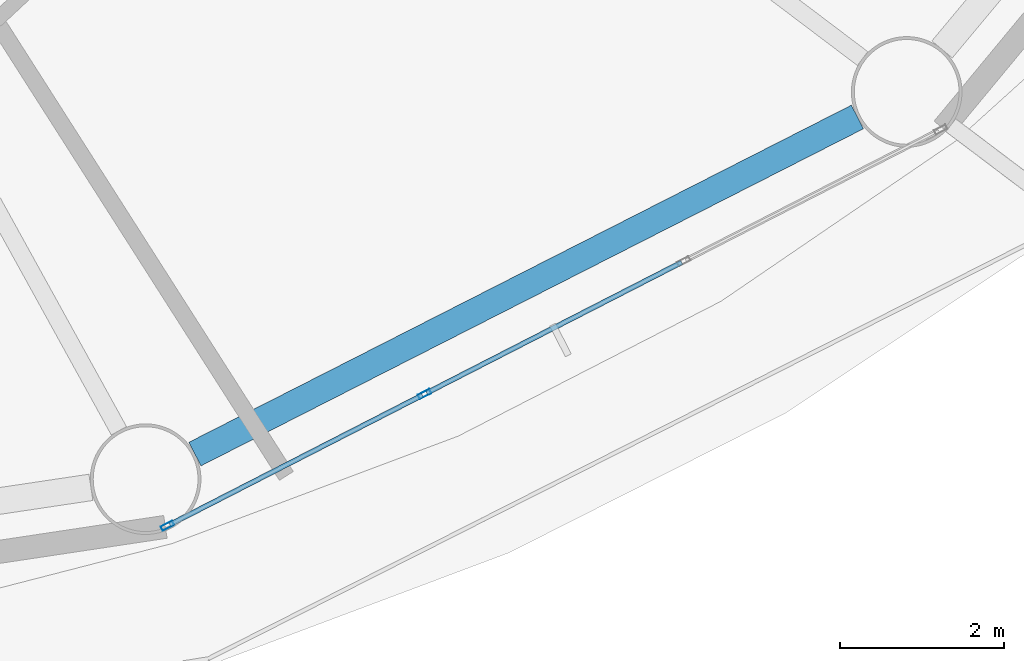
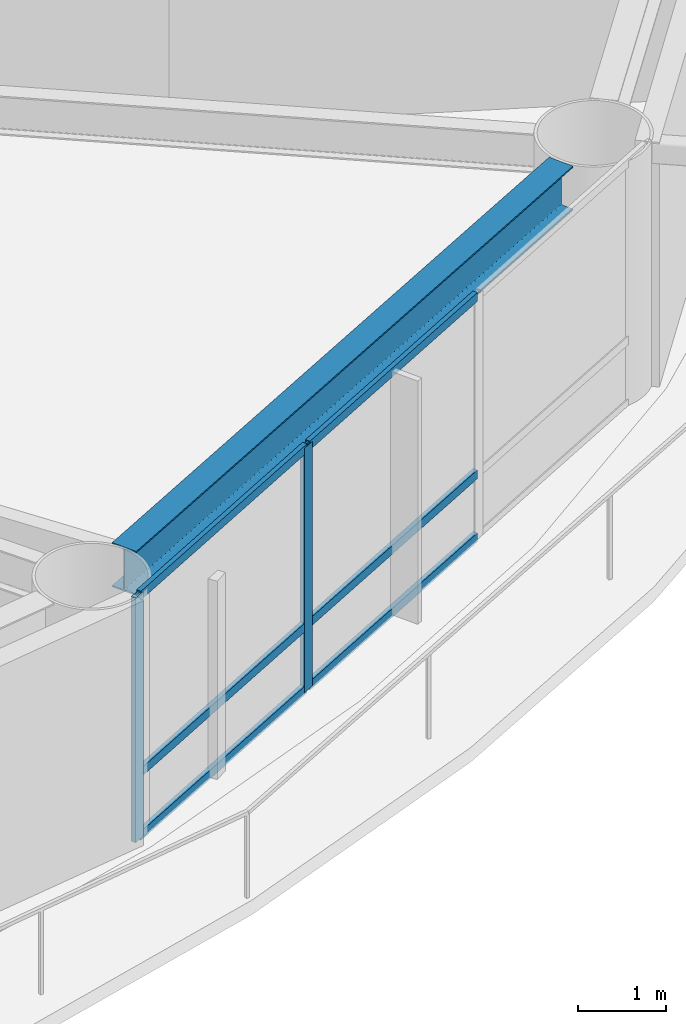
# One storey, part 4 of 24: 8 members, 1 beam, 1 element without a shape of its own.
"""IFC4 building model written with IfcOpenShell, lengths in metres."""

import ifcopenshell
import ifcopenshell.guid

model = None  # the IFC model being written
_history = None  # IfcOwnerHistory: only IFC2X3 demands one
_inside = {}  # id of a spatial element -> (the spatial element, [elements in it])
_under = {}  # id of a project, library or spatial element -> (it, [spatial elements below it])
_declared = {}  # id of a project -> (the project, [libraries it declares])
_typed = {}  # id of a type object -> (the type object, [elements of that type])
_made_of = {}  # id of a material, layer set ... -> (it, [elements and type objects made of it])


def new_model(schema):
    """Start an empty IFC model of exactly this schema.

    Asked for "IFC4X3", IfcOpenShell would pick the latest addendum, in which some entities
    have other attributes; the version numbers below select the first issue.
    IFC2X3 requires an IfcOwnerHistory on every rooted entity: one is made here for all.
    """
    global model, _history
    if schema == "IFC4X3":
        model = ifcopenshell.file(schema_version=(4, 3, 0, 0))
    else:
        model = ifcopenshell.file(schema=schema)
    _inside.clear()
    _under.clear()
    _declared.clear()
    _typed.clear()
    _made_of.clear()
    _history = None
    if model.schema == "IFC2X3":
        org = make("IfcOrganization", Name="unknown")
        user = make(
            "IfcPersonAndOrganization",
            ThePerson=make("IfcPerson", FamilyName="unknown"),
            TheOrganization=org,
        )
        app = make(
            "IfcApplication",
            ApplicationDeveloper=org,
            Version="unknown",
            ApplicationFullName="unknown",
            ApplicationIdentifier="unknown",
        )
        _history = make(
            "IfcOwnerHistory",
            OwningUser=user,
            OwningApplication=app,
            ChangeAction="ADDED",
            CreationDate=0,
        )
    return model


def make(cls, **values):
    """One entity of the class cls with the attributes given. An attribute that is None is left unset."""
    return model.create_entity(
        cls, **{name: value for name, value in values.items() if value is not None}
    )


def rooted(cls, **values):
    """An entity with a GlobalId (a new one), such as an element, a storey or a relation."""
    return make(cls, GlobalId=ifcopenshell.guid.new(), OwnerHistory=_history, **values)


def si_unit(unit_type, name, prefix=None):
    """IfcSIUnit, for example si_unit("LENGTHUNIT", "METRE", prefix="MILLI")."""
    return make("IfcSIUnit", UnitType=unit_type, Prefix=prefix, Name=name)


def assignment(units):
    """IfcUnitAssignment: the units of a project."""
    return None if units is None else make("IfcUnitAssignment", Units=units)


def point(xyz):
    """IfcCartesianPoint."""
    return None if xyz is None else make("IfcCartesianPoint", Coordinates=xyz)


def direction(xyz):
    """IfcDirection."""
    return None if xyz is None else make("IfcDirection", DirectionRatios=xyz)


def frame(location, z_axis=None, x_axis=None):
    """IfcAxis2Placement3D, a coordinate frame: its origin and axes. An axis left out is left unset."""
    return make(
        "IfcAxis2Placement3D",
        Location=point(location),
        Axis=direction(z_axis),
        RefDirection=direction(x_axis),
    )


def frame_2d(location, x_axis=None):
    """IfcAxis2Placement2D, a coordinate frame in the plane: its origin and x axis."""
    return make(
        "IfcAxis2Placement2D", Location=point(location), RefDirection=direction(x_axis)
    )


def origin():
    """The frame at (0, 0, 0) with its axes left unset."""
    return frame((0.0, 0.0, 0.0))


def origin_2d():
    """The frame at (0, 0) in the plane with its x axis left unset."""
    return frame_2d((0.0, 0.0))


def place(relative_to, where):
    """IfcLocalPlacement: puts the frame where relative to a parent placement (None: the world)."""
    return make(
        "IfcLocalPlacement", PlacementRelTo=relative_to, RelativePlacement=where
    )


def context(
    kind, dimensions, precision=None, world=None, true_north=None, identifier=None
):
    """IfcGeometricRepresentationContext, for example the 3D "Model" context."""
    return make(
        "IfcGeometricRepresentationContext",
        ContextIdentifier=identifier,
        ContextType=kind,
        CoordinateSpaceDimension=dimensions,
        Precision=precision,
        WorldCoordinateSystem=world,
        TrueNorth=true_north,
    )


def subcontext(parent, identifier, kind, view, scale=None):
    """IfcGeometricRepresentationSubContext, for example "Body" below "Model"."""
    return make(
        "IfcGeometricRepresentationSubContext",
        ContextIdentifier=identifier,
        ContextType=kind,
        ParentContext=parent,
        TargetScale=scale,
        TargetView=view,
    )


def project(units=None, contexts=None):
    """IfcProject with its units and contexts."""
    return rooted(
        "IfcProject",
        Name="project",
        RepresentationContexts=contexts,
        UnitsInContext=assignment(units),
    )


def spatial(cls, under=None, at=None, **own):
    """A site, building, storey or space (cls), placed at a placement, below another one or the project."""
    s = rooted(cls, ObjectPlacement=at, **own)
    if under is not None:
        _under.setdefault(under.id(), (under, []))[1].append(s)
    return s


def profile(cls, at=None, kind="AREA", **sizes):
    """A parametric profile (cls). Its sizes go by their IFC names, for example OverallWidth=200.0."""
    return make(cls, ProfileType=kind, Position=at, **sizes)


def hollow_rectangle(**sizes):
    """IfcRectangleHollowProfileDef."""
    return profile("IfcRectangleHollowProfileDef", **sizes)


def i_section(**sizes):
    """IfcIShapeProfileDef."""
    return profile("IfcIShapeProfileDef", **sizes)


def extrude(swept, where, along, depth):
    """IfcExtrudedAreaSolid: the profile swept, set in the frame where, extruded along a direction by depth."""
    return make(
        "IfcExtrudedAreaSolid",
        SweptArea=swept,
        Position=where,
        ExtrudedDirection=direction(along),
        Depth=depth,
    )


def shape(context_of_items, identifier, shape_type, items):
    """IfcShapeRepresentation: the items that make up one representation, for example the "Body"."""
    return make(
        "IfcShapeRepresentation",
        ContextOfItems=context_of_items,
        RepresentationIdentifier=identifier,
        RepresentationType=shape_type,
        Items=items,
    )


def material(Name=None, Category=None):
    """IfcMaterial."""
    return make("IfcMaterial", Name=Name, Category=Category)


def layer(
    of_material, thickness, ventilated=None, Name=None, Category=None, Priority=None
):
    """IfcMaterialLayer: one layer of a wall or slab, of a material (None: an air gap)."""
    return make(
        "IfcMaterialLayer",
        Material=of_material,
        LayerThickness=thickness,
        IsVentilated=ventilated,
        Name=Name,
        Category=Category,
        Priority=Priority,
    )


def layer_set(layers, Name=None):
    """IfcMaterialLayerSet."""
    return make("IfcMaterialLayerSet", MaterialLayers=layers, LayerSetName=Name)


def material_profile(
    of_material, cross_section, Name=None, Category=None, Priority=None
):
    """IfcMaterialProfile: a cross section and its material."""
    return make(
        "IfcMaterialProfile",
        Name=Name,
        Material=of_material,
        Profile=cross_section,
        Priority=Priority,
        Category=Category,
    )


def profile_set(profiles, Name=None, composite=None):
    """IfcMaterialProfileSet."""
    return make(
        "IfcMaterialProfileSet",
        Name=Name,
        MaterialProfiles=profiles,
        CompositeProfile=composite,
    )


def made_of(thing, what):
    """Note that an element or type object is made of a material, layer set ...; save() writes the relation."""
    if what is not None:
        _made_of.setdefault(what.id(), (what, []))[1].append(thing)
    return thing


def type_object(cls, material=None, **own):
    """A type object (cls), such as IfcWallType, which elements share."""
    return made_of(rooted(cls, **own), material)


def element(
    cls,
    number,
    at=None,
    inside=None,
    cuts=None,
    type_object=None,
    material=None,
    context=None,
    identifier="Body",
    shape_type=None,
    held_by="IfcProductDefinitionShape",
    body=None,
    shapes=None,
    **own,
):
    """One element of the class cls, such as IfcWall. Its Tag is "e" and its number.

    at: its placement. inside: the storey or other place that contains it. cuts: it is an
    opening in that element (IfcRelVoidsElement). A single representation is given by context,
    identifier, shape_type and body (its items); several are given by shapes. held_by: the class
    of the entity that holds the representations. save() writes the other relations.
    """
    e = rooted(cls, Tag="e%d" % number, ObjectPlacement=at, **own)
    if body is not None:
        shapes = [shape(context, identifier, shape_type, body)]
    if shapes is not None:
        e.Representation = make(held_by, Representations=shapes)
    if inside is not None:
        _inside.setdefault(inside.id(), (inside, []))[1].append(e)
    if cuts is not None:
        rooted(
            "IfcRelVoidsElement", RelatingBuildingElement=cuts, RelatedOpeningElement=e
        )
    if type_object is not None:
        _typed.setdefault(type_object.id(), (type_object, []))[1].append(e)
    return made_of(e, material)


def aggregate(whole, parts):
    """IfcRelAggregates: a whole, such as a stair, and the parts it consists of."""
    return rooted("IfcRelAggregates", RelatingObject=whole, RelatedObjects=parts)


def save(model, path):
    """Write the relations noted so far, then the file.

    IfcRelAggregates (storeys below a building ...), IfcRelContainedInSpatialStructure (elements
    in a storey), IfcRelDefinesByType, IfcRelAssociatesMaterial and IfcRelDeclares: one each for
    every whole, place, type object, material and project.
    """
    for whole, parts in _under.values():
        aggregate(whole, parts)
    for where, things in _inside.values():
        rooted(
            "IfcRelContainedInSpatialStructure",
            RelatedElements=things,
            RelatingStructure=where,
        )
    for kind, things in _typed.values():
        rooted("IfcRelDefinesByType", RelatedObjects=things, RelatingType=kind)
    for what, things in _made_of.values():
        rooted("IfcRelAssociatesMaterial", RelatedObjects=things, RelatingMaterial=what)
    for by, libraries in _declared.values():
        rooted("IfcRelDeclares", RelatingContext=by, RelatedDefinitions=libraries)
    model.write(path)


model = new_model("IFC4")

# Units and contexts
model_context = context("Model", 3, precision=1e-05, world=origin(), true_north=direction((0.0, 1.0)))
body_context = subcontext(model_context, "Body", "Model", "MODEL_VIEW")
ifc_project = project(units=[si_unit("LENGTHUNIT", "METRE"), si_unit("AREAUNIT", "SQUARE_METRE"), si_unit("VOLUMEUNIT", "CUBIC_METRE"), si_unit("PLANEANGLEUNIT", "RADIAN"), si_unit("MASSUNIT", "GRAM", prefix="KILO")], contexts=[model_context])

# Site, building, storey
site_placement = place(None, origin())
site = spatial("IfcSite", under=ifc_project, at=site_placement, CompositionType="ELEMENT")
building_placement = place(site_placement, origin())
building = spatial("IfcBuilding", under=site, at=building_placement, Name="Sarneth Arch Tower", CompositionType="ELEMENT")
storey_placement = place(building_placement, frame((0.0, 0.0, 123.60009765625)))
storey = spatial("IfcBuildingStorey", under=building, at=storey_placement, Name="L31", CompositionType="ELEMENT", Elevation=123.60009765625)

# Beam
ifc_material_1 = material(Name="Steel S355", Category="steel")
ifc_material_profile_1 = material_profile(ifc_material_1, i_section(OverallWidth=0.323974609375, OverallDepth=0.611083984375, WebThickness=0.0126953125, FlangeThickness=0.01904296875, FilletRadius=0.01904296875, at=origin_2d()), Name="W610x155")
ifc_profile_set_1 = profile_set([ifc_material_profile_1], Name="Steel S355")
beam_type = type_object("IfcBeamType", Name="BM-SPAN-610B", PredefinedType="SPANDREL", material=ifc_profile_set_1)
beam_placement = place(storey_placement, frame((59.7119140625, 22.16552734375, 3.074462890625), z_axis=(0.891255891792, 0.453500755619, 0.0), x_axis=(-0.453500755619, 0.891255891792, 0.0)))
element("IfcBeam", 1, at=beam_placement, inside=storey, type_object=beam_type, Name="L31 Perimeter spandrel beam 14", PredefinedType="SPANDREL", context=body_context, shape_type="SweptSolid", body=[
    extrude(i_section(OverallWidth=0.323974609375, OverallDepth=0.611083984375, WebThickness=0.0126953125, FlangeThickness=0.01904296875, FilletRadius=0.01904296875, at=origin_2d()), origin(), (0.0, 0.0, 1.0), 9.070556640625),
])

# Curtain wall, members
ifc_material_2 = material(Name="Anodised aluminium Type AA25 and solar-control low-e laminated IGU", Category="aluminium")
ifc_layer = layer(ifc_material_2, 0.159912109375)
ifc_layer_set = layer_set([ifc_layer], Name="Anodised aluminium Type AA25 and solar-control low-e laminated IGU")
curtain_wall_type = type_object("IfcCurtainWallType", Name="CW-HOTEL-MID", PredefinedType="NOTDEFINED", material=ifc_layer_set)
curtain_wall_placement = place(storey_placement, origin())
curtain_wall = element("IfcCurtainWall", 2, at=curtain_wall_placement, inside=storey, type_object=curtain_wall_type, Name="L31 Unitised curtain wall facet 14", PredefinedType="NOTDEFINED")
ifc_material_3 = material(Name="Anodised Aluminium 6063-T6", Category="aluminium")
ifc_material_profile_2 = material_profile(ifc_material_3, hollow_rectangle(XDim=0.06005859375, YDim=0.159912109375, WallThickness=0.00390625, at=origin_2d()), Name="AL-MULL-160x60x4")
ifc_profile_set_2 = profile_set([ifc_material_profile_2], Name="Anodised Aluminium 6063-T6")
member_type_1 = type_object("IfcMemberType", Name="CW-MULLION", PredefinedType="MULLION", material=ifc_profile_set_2)
member_1_placement = place(storey_placement, frame((59.3779296875, 21.291015625, 0.0), z_axis=(0.0, 0.0, 1.0), x_axis=(-0.456031365356, 0.889963703649, 0.0)))
member_1 = element("IfcMember", 3, at=member_1_placement, type_object=member_type_1, Name="CW-SYS-4 mullion 1", PredefinedType="MULLION", context=body_context, shape_type="SweptSolid", body=[
    extrude(hollow_rectangle(XDim=0.06005859375, YDim=0.159912109375, WallThickness=0.00390625, at=origin_2d()), origin(), (0.0, 0.0, 1.0), 3.3798828125),
])
member_2_placement = place(storey_placement, frame((62.51416015625, 22.898193359375, 0.0), z_axis=(0.0, 0.0, 1.0), x_axis=(-0.456031365356, 0.889963703649, 0.0)))
member_2 = element("IfcMember", 4, at=member_2_placement, type_object=member_type_1, Name="CW-SYS-4 mullion 2", PredefinedType="MULLION", context=body_context, shape_type="SweptSolid", body=[
    extrude(hollow_rectangle(XDim=0.06005859375, YDim=0.159912109375, WallThickness=0.00390625, at=origin_2d()), origin(), (0.0, 0.0, 1.0), 3.3798828125),
])
ifc_material_4 = material(Name="Anodised Aluminium 6063-T6", Category="aluminium")
ifc_material_profile_3 = material_profile(ifc_material_4, hollow_rectangle(XDim=0.06005859375, YDim=0.1201171875, WallThickness=0.00390625, at=origin_2d()), Name="AL-TRAN-120x60x4")
ifc_profile_set_3 = profile_set([ifc_material_profile_3], Name="Anodised Aluminium 6063-T6")
member_type_2 = type_object("IfcMemberType", Name="CW-TRANSOM", PredefinedType="USERDEFINED", material=ifc_profile_set_3)
member_3_placement = place(storey_placement, frame((59.404541015625, 21.3046875, 0.02978515625), z_axis=(0.889957563627, 0.456043347658, 0.0), x_axis=(-0.456043347658, 0.889957563627, 0.0)))
member_3 = element("IfcMember", 5, at=member_3_placement, type_object=member_type_2, Name="CW-SYS-4 transom 1.1", ObjectType="TRANSOM", PredefinedType="USERDEFINED", context=body_context, shape_type="SweptSolid", body=[
    extrude(hollow_rectangle(XDim=0.06005859375, YDim=0.1201171875, WallThickness=0.00390625, at=origin_2d()), origin(), (0.0, 0.0, 1.0), 3.464111328125),
])
member_4_placement = place(storey_placement, frame((59.404541015625, 21.3046875, 0.89990234375), z_axis=(0.889957563627, 0.456043347658, 0.0), x_axis=(-0.456043347658, 0.889957563627, 0.0)))
member_4 = element("IfcMember", 6, at=member_4_placement, type_object=member_type_2, Name="CW-SYS-4 transom 1.2", ObjectType="TRANSOM", PredefinedType="USERDEFINED", context=body_context, shape_type="SweptSolid", body=[
    extrude(hollow_rectangle(XDim=0.06005859375, YDim=0.1201171875, WallThickness=0.00390625, at=origin_2d()), origin(), (0.0, 0.0, 1.0), 3.464111328125),
])
member_5_placement = place(storey_placement, frame((59.404541015625, 21.3046875, 3.349853515625), z_axis=(0.889957563627, 0.456043347658, 0.0), x_axis=(-0.456043347658, 0.889957563627, 0.0)))
member_5 = element("IfcMember", 7, at=member_5_placement, type_object=member_type_2, Name="CW-SYS-4 transom 1.3", ObjectType="TRANSOM", PredefinedType="USERDEFINED", context=body_context, shape_type="SweptSolid", body=[
    extrude(hollow_rectangle(XDim=0.06005859375, YDim=0.1201171875, WallThickness=0.00390625, at=origin_2d()), origin(), (0.0, 0.0, 1.0), 3.464111328125),
])
member_6_placement = place(storey_placement, frame((62.540771484375, 22.911865234375, 0.02978515625), z_axis=(0.889981813856, 0.455996020823, 0.0), x_axis=(-0.455996020823, 0.889981813856, 0.0)))
member_6 = element("IfcMember", 8, at=member_6_placement, type_object=member_type_2, Name="CW-SYS-4 transom 2.1", ObjectType="TRANSOM", PredefinedType="USERDEFINED", context=body_context, shape_type="SweptSolid", body=[
    extrude(hollow_rectangle(XDim=0.06005859375, YDim=0.1201171875, WallThickness=0.00390625, at=origin_2d()), origin(), (0.0, 0.0, 1.0), 3.494140625),
])
member_7_placement = place(storey_placement, frame((62.540771484375, 22.911865234375, 0.89990234375), z_axis=(0.889981813856, 0.455996020823, 0.0), x_axis=(-0.455996020823, 0.889981813856, 0.0)))
member_7 = element("IfcMember", 9, at=member_7_placement, type_object=member_type_2, Name="CW-SYS-4 transom 2.2", ObjectType="TRANSOM", PredefinedType="USERDEFINED", context=body_context, shape_type="SweptSolid", body=[
    extrude(hollow_rectangle(XDim=0.06005859375, YDim=0.1201171875, WallThickness=0.00390625, at=origin_2d()), origin(), (0.0, 0.0, 1.0), 3.494140625),
])
member_8_placement = place(storey_placement, frame((62.540771484375, 22.911865234375, 3.349853515625), z_axis=(0.889981813856, 0.455996020823, 0.0), x_axis=(-0.455996020823, 0.889981813856, 0.0)))
member_8 = element("IfcMember", 10, at=member_8_placement, type_object=member_type_2, Name="CW-SYS-4 transom 2.3", ObjectType="TRANSOM", PredefinedType="USERDEFINED", context=body_context, shape_type="SweptSolid", body=[
    extrude(hollow_rectangle(XDim=0.06005859375, YDim=0.1201171875, WallThickness=0.00390625, at=origin_2d()), origin(), (0.0, 0.0, 1.0), 3.494140625),
])
aggregate(curtain_wall, [member_1, member_2, member_3, member_4, member_5, member_6, member_7, member_8])

save(model, "model.ifc")
